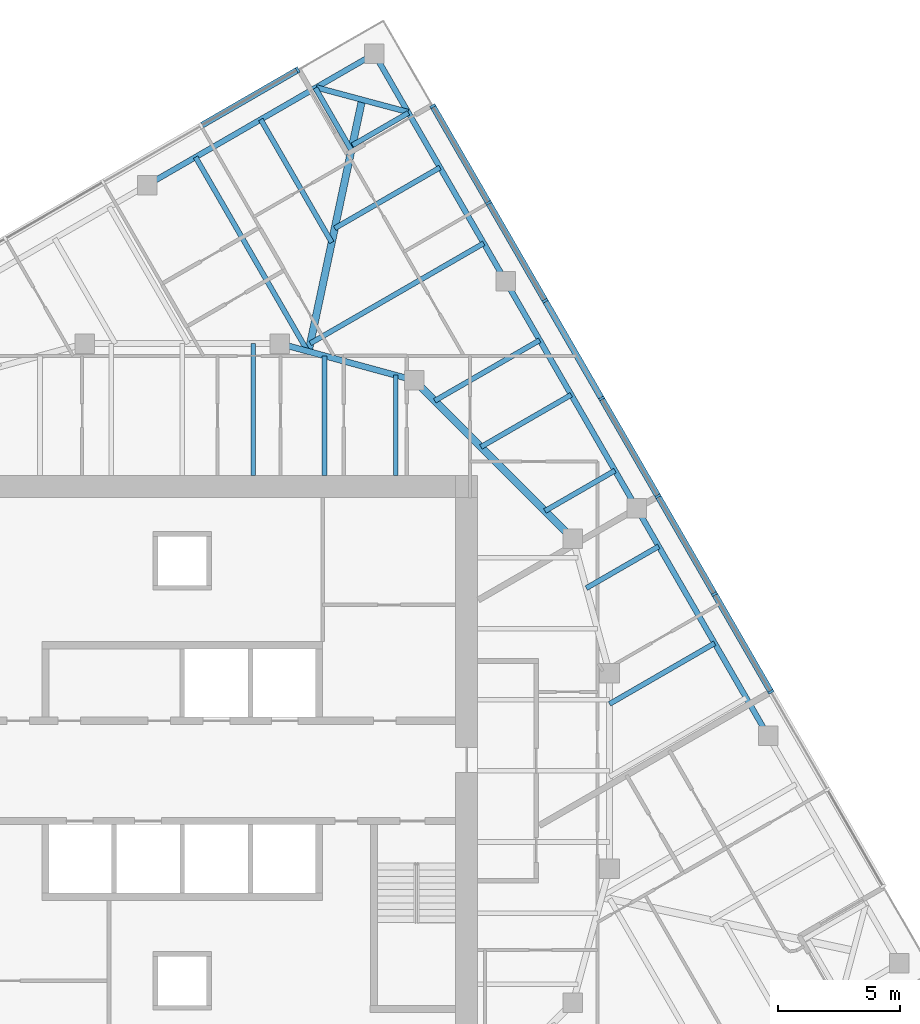
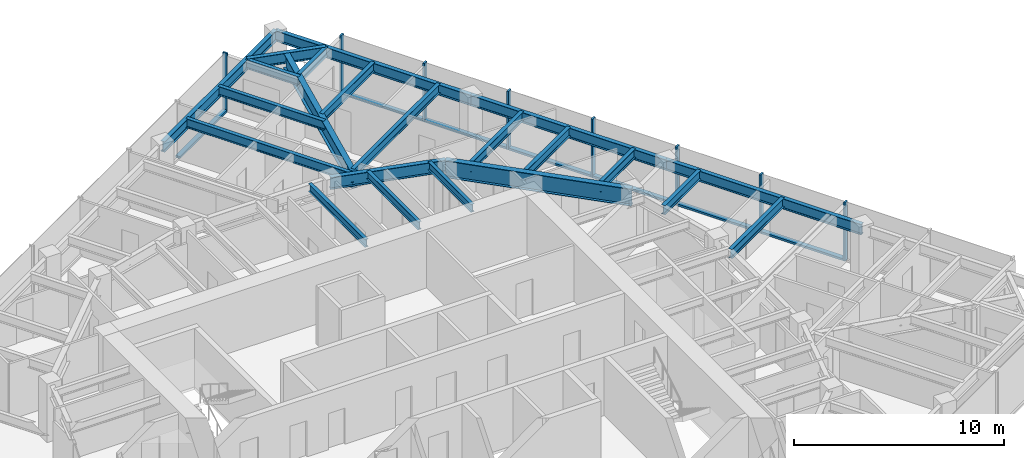
# One storey, part 5 of 12: 22 beams, 15 members, 2 elements without a shape of their own.
"""IFC4 building model written with IfcOpenShell, lengths in metres."""

from ifc_helpers import new_model, si_unit, direction, frame, origin, origin_2d, place, context, subcontext, project, spatial, rectangle, i_section, extrude, material, material_profile, profile_set, type_object, element, aggregate, save


model = new_model("IFC4")

# Units and contexts
model_context = context("Model", 3, precision=1e-05, world=origin(), true_north=direction((0.0, 1.0)))
body_context = subcontext(model_context, "Body", "Model", "MODEL_VIEW")
ifc_project = project(units=[si_unit("LENGTHUNIT", "METRE"), si_unit("AREAUNIT", "SQUARE_METRE"), si_unit("VOLUMEUNIT", "CUBIC_METRE"), si_unit("PLANEANGLEUNIT", "RADIAN"), si_unit("MASSUNIT", "GRAM", prefix="KILO")], contexts=[model_context])

# Site, building, storey
site_placement = place(None, origin())
site = spatial("IfcSite", under=ifc_project, at=site_placement, CompositionType="ELEMENT")
building_placement = place(site_placement, origin())
building = spatial("IfcBuilding", under=site, at=building_placement, Name="Torsade Residences", CompositionType="ELEMENT")
storey_placement = place(building_placement, frame((0.0, 0.0, 211.60009765625)))
storey = spatial("IfcBuildingStorey", under=building, at=storey_placement, Name="L58", CompositionType="ELEMENT", Elevation=211.60009765625)

# Beams
ifc_material_1 = material(Name="Steel grade 300", Category="steel")
ifc_material_profile_1 = material_profile(ifc_material_1, i_section(OverallWidth=0.300048828125, OverallDepth=0.89990234375, WebThickness=0.011962890625, FlangeThickness=0.02490234375, at=origin_2d()), Name="900WB175")
ifc_profile_set_1 = profile_set([ifc_material_profile_1], Name="Steel grade 300")
beam_type_1 = type_object("IfcBeamType", Name="CORNER GIRDER 900WB175", PredefinedType="BEAM", material=ifc_profile_set_1)
beam_1_placement = place(storey_placement, frame((47.3662109375, 57.4912109375, 2.7998046875), z_axis=(-0.20806427425, -0.978115155685, 0.0), x_axis=(0.978115155685, -0.20806427425, 0.0)))
element("IfcBeam", 1, at=beam_1_placement, inside=storey, type_object=beam_type_1, Name="Corner girder 09 L59", PredefinedType="BEAM", context=body_context, shape_type="SweptSolid", body=[
    extrude(i_section(OverallWidth=0.300048828125, OverallDepth=0.89990234375, WebThickness=0.011962890625, FlangeThickness=0.02490234375, at=origin_2d()), origin(), (0.0, 0.0, 1.0), 10.541748046875),
])
ifc_material_2 = material(Name="Steel grade 300", Category="steel")
ifc_material_profile_2 = material_profile(ifc_material_2, i_section(OverallWidth=0.22802734375, OverallDepth=0.60205078125, WebThickness=0.010498046875, FlangeThickness=0.014892578125, FilletRadius=0.013916015625, at=origin_2d()), Name="610UB101")
ifc_profile_set_2 = profile_set([ifc_material_profile_2], Name="Steel grade 300")
beam_type_2 = type_object("IfcBeamType", Name="CORNER TRIMMER 610UB101", PredefinedType="BEAM", material=ifc_profile_set_2)
beam_2_placement = place(storey_placement, frame((45.488037109375, 57.99462890625, 2.948974609375), z_axis=(0.965924794002, -0.258822897619, 0.0), x_axis=(0.258822897619, 0.965924794002, 0.0)))
element("IfcBeam", 2, at=beam_2_placement, inside=storey, type_object=beam_type_2, Name="Corner trimmer 09 L59", PredefinedType="BEAM", context=body_context, shape_type="SweptSolid", body=[
    extrude(i_section(OverallWidth=0.22802734375, OverallDepth=0.60205078125, WebThickness=0.010498046875, FlangeThickness=0.014892578125, FilletRadius=0.013916015625, at=origin_2d()), origin(), (0.0, 0.0, 1.0), 3.88916015625),
])
ifc_material_3 = material(Name="Steel grade 300", Category="steel")
ifc_material_profile_3 = material_profile(ifc_material_3, i_section(OverallWidth=0.22900390625, OverallDepth=0.612060546875, WebThickness=0.011962890625, FlangeThickness=0.01953125, FilletRadius=0.013916015625, at=origin_2d()), Name="610UB125")
ifc_profile_set_3 = profile_set([ifc_material_profile_3], Name="Steel grade 300")
beam_type_3 = type_object("IfcBeamType", Name="EDGE BEAM 610UB125", PredefinedType="SPANDREL", material=ifc_profile_set_3)
for number, where, z_axis, x_axis, name in (
    (3, (63.99462890625, 31.440185546875, 2.94384765625), (-0.499998333915, 0.866026365697, 0.0), (-0.866026365697, -0.499998333915, 0.0), "Edge beam 06 L59"),
    (4, (58.61962890625, 40.75, 2.94384765625), (-0.499998333915, 0.866026365697, 0.0), (-0.866026365697, -0.499998333915, 0.0), "Edge beam 07 L59"),
    (5, (53.24462890625, 50.059814453125, 2.94384765625), (-0.499998333915, 0.866026365697, 0.0), (-0.866026365697, -0.499998333915, 0.0), "Edge beam 08 L59"),
    (6, (47.86962890625, 59.36962890625, 2.94384765625), (-0.866026365697, -0.499998333915, 0.0), (0.499998333915, -0.866026365697, 0.0), "Edge beam 09 L59"),
):
    element("IfcBeam", number, at=place(storey_placement, frame(where, z_axis=z_axis, x_axis=x_axis)), inside=storey, type_object=beam_type_3, Name=name, PredefinedType="SPANDREL", context=body_context, shape_type="SweptSolid", body=[
        extrude(i_section(OverallWidth=0.22900390625, OverallDepth=0.612060546875, WebThickness=0.011962890625, FlangeThickness=0.01953125, FilletRadius=0.013916015625, at=origin_2d()), origin(), (0.0, 0.0, 1.0), 10.75),
    ])

# Curtain wall, members
ifc_material_4 = material(Name="Aluminium and glass", Category="aluminium")
curtain_wall_type = type_object("IfcCurtainWallType", Name="FRITTED GLASS CURTAIN WALL HIGH ZONE", PredefinedType="NOTDEFINED", material=ifc_material_4)
curtain_wall_1_placement = place(storey_placement, origin())
curtain_wall_1 = element("IfcCurtainWall", 7, at=curtain_wall_1_placement, inside=storey, type_object=curtain_wall_type, Name="Curtain wall L58 face 4", PredefinedType="NOTDEFINED")
ifc_material_5 = material(Name="Aluminium mullion", Category="aluminium")
ifc_material_profile_4 = material_profile(ifc_material_5, rectangle(XDim=0.25, YDim=0.10009765625, at=origin_2d()), Name="HIGH ZONE CURTAIN WALL MULLION 250x100")
ifc_profile_set_4 = profile_set([ifc_material_profile_4], Name="Aluminium mullion")
member_type_1 = type_object("IfcMemberType", Name="HIGH ZONE CURTAIN WALL MULLION 250x100", PredefinedType="MULLION", material=ifc_profile_set_4)
member_1_placement = place(storey_placement, frame((64.110595703125, 33.2392578125, 0.0), z_axis=(0.0, 0.0, 1.0), x_axis=(-0.866025404186, -0.499999999305, 0.0)))
member_1 = element("IfcMember", 8, at=member_1_placement, type_object=member_type_1, Name="Mullion 3", PredefinedType="MULLION", context=body_context, shape_type="SweptSolid", body=[
    extrude(rectangle(XDim=0.25, YDim=0.10009765625, at=origin_2d()), origin(), (0.0, 0.0, 1.0), 3.39990234375),
])
member_2_placement = place(storey_placement, frame((61.798095703125, 37.24462890625, 0.0), z_axis=(0.0, 0.0, 1.0), x_axis=(-0.866025404186, -0.499999999305, 0.0)))
member_2 = element("IfcMember", 9, at=member_2_placement, type_object=member_type_1, Name="Mullion 4", PredefinedType="MULLION", context=body_context, shape_type="SweptSolid", body=[
    extrude(rectangle(XDim=0.25, YDim=0.10009765625, at=origin_2d()), origin(), (0.0, 0.0, 1.0), 3.39990234375),
])
member_3_placement = place(storey_placement, frame((59.485595703125, 41.25, 0.0), z_axis=(0.0, 0.0, 1.0), x_axis=(-0.866025404186, -0.499999999305, 0.0)))
member_3 = element("IfcMember", 10, at=member_3_placement, type_object=member_type_1, Name="Mullion 5", PredefinedType="MULLION", context=body_context, shape_type="SweptSolid", body=[
    extrude(rectangle(XDim=0.25, YDim=0.10009765625, at=origin_2d()), origin(), (0.0, 0.0, 1.0), 3.39990234375),
])
member_4_placement = place(storey_placement, frame((57.173095703125, 45.25537109375, 0.0), z_axis=(0.0, 0.0, 1.0), x_axis=(-0.866025404186, -0.499999999305, 0.0)))
member_4 = element("IfcMember", 11, at=member_4_placement, type_object=member_type_1, Name="Mullion 6", PredefinedType="MULLION", context=body_context, shape_type="SweptSolid", body=[
    extrude(rectangle(XDim=0.25, YDim=0.10009765625, at=origin_2d()), origin(), (0.0, 0.0, 1.0), 3.39990234375),
])
member_5_placement = place(storey_placement, frame((54.860595703125, 49.2607421875, 0.0), z_axis=(0.0, 0.0, 1.0), x_axis=(-0.866025404186, -0.499999999305, 0.0)))
member_5 = element("IfcMember", 12, at=member_5_placement, type_object=member_type_1, Name="Mullion 7", PredefinedType="MULLION", context=body_context, shape_type="SweptSolid", body=[
    extrude(rectangle(XDim=0.25, YDim=0.10009765625, at=origin_2d()), origin(), (0.0, 0.0, 1.0), 3.39990234375),
])
member_6_placement = place(storey_placement, frame((52.548095703125, 53.26611328125, 0.0), z_axis=(0.0, 0.0, 1.0), x_axis=(-0.866025404186, -0.499999999305, 0.0)))
member_6 = element("IfcMember", 13, at=member_6_placement, type_object=member_type_1, Name="Mullion 8", PredefinedType="MULLION", context=body_context, shape_type="SweptSolid", body=[
    extrude(rectangle(XDim=0.25, YDim=0.10009765625, at=origin_2d()), origin(), (0.0, 0.0, 1.0), 3.39990234375),
])
member_7_placement = place(storey_placement, frame((50.260498046875, 57.228271484375, 0.0), z_axis=(0.0, 0.0, 1.0), x_axis=(-0.866025404186, -0.499999999305, 0.0)))
member_7 = element("IfcMember", 14, at=member_7_placement, type_object=member_type_1, Name="Mullion 9", PredefinedType="MULLION", context=body_context, shape_type="SweptSolid", body=[
    extrude(rectangle(XDim=0.25, YDim=0.10009765625, at=origin_2d()), origin(), (0.0, 0.0, 1.0), 3.39990234375),
])

# Curtain wall, member
curtain_wall_2_placement = place(storey_placement, origin())
curtain_wall_2 = element("IfcCurtainWall", 15, at=curtain_wall_2_placement, inside=storey, type_object=curtain_wall_type, Name="Curtain wall L58 face 7", PredefinedType="NOTDEFINED")
member_8_placement = place(storey_placement, frame((44.728271484375, 58.710693359375, 0.0), z_axis=(0.0, 0.0, 1.0), x_axis=(0.499999999305, -0.866025404186, 0.0)))
member_8 = element("IfcMember", 16, at=member_8_placement, type_object=member_type_1, Name="Mullion 1", PredefinedType="MULLION", context=body_context, shape_type="SweptSolid", body=[
    extrude(rectangle(XDim=0.25, YDim=0.10009765625, at=origin_2d()), origin(), (0.0, 0.0, 1.0), 3.39990234375),
])

# Member
ifc_material_6 = material(Name="Aluminium transom", Category="aluminium")
ifc_material_profile_5 = material_profile(ifc_material_6, rectangle(XDim=0.25, YDim=0.1201171875, at=origin_2d()), Name="HIGH ZONE CURTAIN WALL TRANSOM 250x120")
ifc_profile_set_5 = profile_set([ifc_material_profile_5], Name="Aluminium transom")
member_type_2 = type_object("IfcMemberType", Name="HIGH ZONE CURTAIN WALL TRANSOM 250x120", PredefinedType="USERDEFINED", material=ifc_profile_set_5)
member_9_placement = place(storey_placement, frame((64.085693359375, 33.282470703125, 0.059814453125), z_axis=(-0.500015112013, 0.866016678684, 0.0), x_axis=(-0.866016678684, -0.500015112013, 0.0)))
member_9 = element("IfcMember", 17, at=member_9_placement, type_object=member_type_2, Name="Transom 3.1", ObjectType="TRANSOM", PredefinedType="USERDEFINED", context=body_context, shape_type="SweptSolid", body=[
    extrude(rectangle(XDim=0.25, YDim=0.1201171875, at=origin_2d()), origin(), (0.0, 0.0, 1.0), 4.525146484375),
])

member_10_placement = place(storey_placement, frame((61.773193359375, 37.287841796875, 0.059814453125), z_axis=(-0.500015112013, 0.866016678684, 0.0), x_axis=(-0.866016678684, -0.500015112013, 0.0)))
member_10 = element("IfcMember", 18, at=member_10_placement, type_object=member_type_2, Name="Transom 4.1", ObjectType="TRANSOM", PredefinedType="USERDEFINED", context=body_context, shape_type="SweptSolid", body=[
    extrude(rectangle(XDim=0.25, YDim=0.1201171875, at=origin_2d()), origin(), (0.0, 0.0, 1.0), 4.525146484375),
])

member_11_placement = place(storey_placement, frame((59.460693359375, 41.293212890625, 0.059814453125), z_axis=(-0.500015112013, 0.866016678684, 0.0), x_axis=(-0.866016678684, -0.500015112013, 0.0)))
member_11 = element("IfcMember", 19, at=member_11_placement, type_object=member_type_2, Name="Transom 5.1", ObjectType="TRANSOM", PredefinedType="USERDEFINED", context=body_context, shape_type="SweptSolid", body=[
    extrude(rectangle(XDim=0.25, YDim=0.1201171875, at=origin_2d()), origin(), (0.0, 0.0, 1.0), 4.525146484375),
])

member_12_placement = place(storey_placement, frame((57.148193359375, 45.298583984375, 0.059814453125), z_axis=(-0.500015112013, 0.866016678684, 0.0), x_axis=(-0.866016678684, -0.500015112013, 0.0)))
member_12 = element("IfcMember", 20, at=member_12_placement, type_object=member_type_2, Name="Transom 6.1", ObjectType="TRANSOM", PredefinedType="USERDEFINED", context=body_context, shape_type="SweptSolid", body=[
    extrude(rectangle(XDim=0.25, YDim=0.1201171875, at=origin_2d()), origin(), (0.0, 0.0, 1.0), 4.525146484375),
])

member_13_placement = place(storey_placement, frame((54.835693359375, 49.303955078125, 0.059814453125), z_axis=(-0.500015112013, 0.866016678684, 0.0), x_axis=(-0.866016678684, -0.500015112013, 0.0)))
member_13 = element("IfcMember", 21, at=member_13_placement, type_object=member_type_2, Name="Transom 7.1", ObjectType="TRANSOM", PredefinedType="USERDEFINED", context=body_context, shape_type="SweptSolid", body=[
    extrude(rectangle(XDim=0.25, YDim=0.1201171875, at=origin_2d()), origin(), (0.0, 0.0, 1.0), 4.525146484375),
])

member_14_placement = place(storey_placement, frame((52.523193359375, 53.309326171875, 0.059814453125), z_axis=(-0.50000580312, 0.866022053326, 0.0), x_axis=(-0.866022053326, -0.50000580312, 0.0)))
member_14 = element("IfcMember", 22, at=member_14_placement, type_object=member_type_2, Name="Transom 8.1", ObjectType="TRANSOM", PredefinedType="USERDEFINED", context=body_context, shape_type="SweptSolid", body=[
    extrude(rectangle(XDim=0.25, YDim=0.1201171875, at=origin_2d()), origin(), (0.0, 0.0, 1.0), 4.47509765625),
])

aggregate(curtain_wall_1, [member_1, member_2, member_3, member_4, member_5, member_6, member_7, member_9, member_10, member_11, member_12, member_13, member_14])

member_15_placement = place(storey_placement, frame((44.684814453125, 58.685546875, 0.059814453125), z_axis=(-0.866022053326, -0.50000580312, 0.0), x_axis=(0.50000580312, -0.866022053326, 0.0)))
member_15 = element("IfcMember", 23, at=member_15_placement, type_object=member_type_2, Name="Transom 1.1", ObjectType="TRANSOM", PredefinedType="USERDEFINED", context=body_context, shape_type="SweptSolid", body=[
    extrude(rectangle(XDim=0.25, YDim=0.1201171875, at=origin_2d()), origin(), (0.0, 0.0, 1.0), 4.47509765625),
])

aggregate(curtain_wall_2, [member_8, member_15])

# Beams
ifc_material_7 = material(Name="Steel grade 300", Category="steel")
ifc_material_profile_6 = material_profile(ifc_material_7, i_section(OverallWidth=0.18994140625, OverallDepth=0.4541015625, WebThickness=0.008544921875, FlangeThickness=0.0126953125, FilletRadius=0.011474609375, at=origin_2d()), Name="460UB67.1")
ifc_profile_set_6 = profile_set([ifc_material_profile_6], Name="Steel grade 300")
beam_type_4 = type_object("IfcBeamType", Name="INNER FLOOR BEAM 460UB67.1", PredefinedType="JOIST", material=ifc_profile_set_6)
beam_3_placement = place(storey_placement, frame((42.91259765625, 42.10009765625, 3.02294921875), z_axis=(0.0, 1.0, 0.0), x_axis=(-1.0, 0.0, 0.0)))
element("IfcBeam", 24, at=beam_3_placement, inside=storey, type_object=beam_type_4, Name="Inner floor beam IN05 L59", PredefinedType="JOIST", context=body_context, shape_type="SweptSolid", body=[
    extrude(i_section(OverallWidth=0.18994140625, OverallDepth=0.4541015625, WebThickness=0.008544921875, FlangeThickness=0.0126953125, FilletRadius=0.011474609375, at=origin_2d()), origin(), (0.0, 0.0, 1.0), 5.39990234375),
])
beam_4_placement = place(storey_placement, frame((45.824951171875, 42.10009765625, 3.02294921875), z_axis=(0.0, 1.0, 0.0), x_axis=(-1.0, 0.0, 0.0)))
element("IfcBeam", 25, at=beam_4_placement, inside=storey, type_object=beam_type_4, Name="Inner floor beam IN06 L59", PredefinedType="JOIST", context=body_context, shape_type="SweptSolid", body=[
    extrude(i_section(OverallWidth=0.18994140625, OverallDepth=0.4541015625, WebThickness=0.008544921875, FlangeThickness=0.0126953125, FilletRadius=0.011474609375, at=origin_2d()), origin(), (0.0, 0.0, 1.0), 4.902099609375),
])
beam_5_placement = place(storey_placement, frame((48.737548828125, 42.10009765625, 3.02294921875), z_axis=(0.0, 1.0, 0.0), x_axis=(-1.0, 0.0, 0.0)))
element("IfcBeam", 26, at=beam_5_placement, inside=storey, type_object=beam_type_4, Name="Inner floor beam IN07 L59", PredefinedType="JOIST", context=body_context, shape_type="SweptSolid", body=[
    extrude(i_section(OverallWidth=0.18994140625, OverallDepth=0.4541015625, WebThickness=0.008544921875, FlangeThickness=0.0126953125, FilletRadius=0.011474609375, at=origin_2d()), origin(), (0.0, 0.0, 1.0), 4.10791015625),
])
ifc_material_8 = material(Name="Steel grade 300", Category="steel")
ifc_material_profile_7 = material_profile(ifc_material_8, i_section(OverallWidth=0.300048828125, OverallDepth=1.0, WebThickness=0.01611328125, FlangeThickness=0.028076171875, at=origin_2d()), Name="1000WB215")
ifc_profile_set_7 = profile_set([ifc_material_profile_7], Name="Steel grade 300")
beam_type_5 = type_object("IfcBeamType", Name="RING CORNER GIRDER 1000WB215", PredefinedType="BEAM", material=ifc_profile_set_7)
beam_6_placement = place(storey_placement, frame((56.0, 39.5, 2.75), z_axis=(-0.707106781187, 0.707106781187, 0.0), x_axis=(-0.707106781187, -0.707106781187, 0.0)))
element("IfcBeam", 27, at=beam_6_placement, inside=storey, type_object=beam_type_5, Name="Ring girder IR03 L59", PredefinedType="BEAM", context=body_context, shape_type="SweptSolid", body=[
    extrude(i_section(OverallWidth=0.300048828125, OverallDepth=1.0, WebThickness=0.01611328125, FlangeThickness=0.028076171875, at=origin_2d()), origin(), (0.0, 0.0, 1.0), 9.1923828125),
])
ifc_material_9 = material(Name="Steel grade 300", Category="steel")
ifc_material_profile_8 = material_profile(ifc_material_9, i_section(OverallWidth=0.25, OverallDepth=0.699951171875, WebThickness=0.010009765625, FlangeThickness=0.02001953125, at=origin_2d()), Name="700WB130")
ifc_profile_set_8 = profile_set([ifc_material_profile_8], Name="Steel grade 300")
beam_type_6 = type_object("IfcBeamType", Name="RING GIRDER 700WB130", PredefinedType="BEAM", material=ifc_profile_set_8)
beam_7_placement = place(storey_placement, frame((49.5, 46.0, 2.89990234375), z_axis=(-0.964763821238, 0.263117405792, 0.0), x_axis=(-0.263117405792, -0.964763821238, 0.0)))
element("IfcBeam", 28, at=beam_7_placement, inside=storey, type_object=beam_type_6, Name="Ring girder IR04 L59", PredefinedType="BEAM", context=body_context, shape_type="SweptSolid", body=[
    extrude(i_section(OverallWidth=0.25, OverallDepth=0.699951171875, WebThickness=0.010009765625, FlangeThickness=0.02001953125, at=origin_2d()), origin(), (0.0, 0.0, 1.0), 5.700927734375),
])
ifc_material_10 = material(Name="Steel grade 300", Category="steel")
ifc_material_profile_9 = material_profile(ifc_material_10, i_section(OverallWidth=0.208984375, OverallDepth=0.528076171875, WebThickness=0.009521484375, FlangeThickness=0.01318359375, FilletRadius=0.013916015625, at=origin_2d()), Name="530UB82.0")
ifc_profile_set_9 = profile_set([ifc_material_profile_9], Name="Steel grade 300")
beam_type_7 = type_object("IfcBeamType", Name="SECONDARY BEAM 530UB82.0", PredefinedType="JOIST", material=ifc_profile_set_9)
beam_8_placement = place(storey_placement, frame((61.80712890625, 35.22900390625, 2.98583984375), z_axis=(-0.866038443216, -0.499977414361, 0.0), x_axis=(0.499977414361, -0.866038443216, 0.0)))
element("IfcBeam", 29, at=beam_8_placement, inside=storey, type_object=beam_type_7, Name="Floor beam FE05 L59", PredefinedType="JOIST", context=body_context, shape_type="SweptSolid", body=[
    extrude(i_section(OverallWidth=0.208984375, OverallDepth=0.528076171875, WebThickness=0.009521484375, FlangeThickness=0.01318359375, FilletRadius=0.013916015625, at=origin_2d()), origin(), (0.0, 0.0, 1.0), 4.973388671875),
])
beam_9_placement = place(storey_placement, frame((59.515380859375, 39.198486328125, 2.98583984375), z_axis=(-0.866001587311, -0.500041249073, 0.0), x_axis=(0.500041249073, -0.866001587311, 0.0)))
element("IfcBeam", 30, at=beam_9_placement, inside=storey, type_object=beam_type_7, Name="Floor beam FE06 L59", PredefinedType="JOIST", context=body_context, shape_type="SweptSolid", body=[
    extrude(i_section(OverallWidth=0.208984375, OverallDepth=0.528076171875, WebThickness=0.009521484375, FlangeThickness=0.01318359375, FilletRadius=0.013916015625, at=origin_2d()), origin(), (0.0, 0.0, 1.0), 3.425048828125),
])
beam_10_placement = place(storey_placement, frame((57.7236328125, 42.301513671875, 2.98583984375), z_axis=(-0.866039541186, -0.499975512502, 0.0), x_axis=(0.499975512502, -0.866039541186, 0.0)))
element("IfcBeam", 31, at=beam_10_placement, inside=storey, type_object=beam_type_7, Name="Floor beam FE07 L59", PredefinedType="JOIST", context=body_context, shape_type="SweptSolid", body=[
    extrude(i_section(OverallWidth=0.208984375, OverallDepth=0.528076171875, WebThickness=0.009521484375, FlangeThickness=0.01318359375, FilletRadius=0.013916015625, at=origin_2d()), origin(), (0.0, 0.0, 1.0), 3.312744140625),
])
beam_11_placement = place(storey_placement, frame((55.93212890625, 45.40478515625, 2.98583984375), z_axis=(-0.866022880939, -0.500004369671, 0.0), x_axis=(0.500004369671, -0.866022880939, 0.0)))
element("IfcBeam", 32, at=beam_11_placement, inside=storey, type_object=beam_type_7, Name="Floor beam FE08 L59", PredefinedType="JOIST", context=body_context, shape_type="SweptSolid", body=[
    extrude(i_section(OverallWidth=0.208984375, OverallDepth=0.528076171875, WebThickness=0.009521484375, FlangeThickness=0.01318359375, FilletRadius=0.013916015625, at=origin_2d()), origin(), (0.0, 0.0, 1.0), 4.27294921875),
])
beam_12_placement = place(storey_placement, frame((54.640380859375, 47.64208984375, 2.98583984375), z_axis=(-0.866043933037, -0.49996790502, 0.0), x_axis=(0.49996790502, -0.866043933037, 0.0)))
element("IfcBeam", 33, at=beam_12_placement, inside=storey, type_object=beam_type_7, Name="Floor beam FE09 L59", PredefinedType="JOIST", context=body_context, shape_type="SweptSolid", body=[
    extrude(i_section(OverallWidth=0.208984375, OverallDepth=0.528076171875, WebThickness=0.009521484375, FlangeThickness=0.01318359375, FilletRadius=0.013916015625, at=origin_2d()), origin(), (0.0, 0.0, 1.0), 4.965087890625),
])
beam_13_placement = place(storey_placement, frame((52.3486328125, 51.611328125, 2.98583984375), z_axis=(-0.866030002502, -0.499992034702, 0.0), x_axis=(0.499992034702, -0.866030002502, 0.0)))
element("IfcBeam", 34, at=beam_13_placement, inside=storey, type_object=beam_type_7, Name="Floor beam FE10 L59", PredefinedType="JOIST", context=body_context, shape_type="SweptSolid", body=[
    extrude(i_section(OverallWidth=0.208984375, OverallDepth=0.528076171875, WebThickness=0.009521484375, FlangeThickness=0.01318359375, FilletRadius=0.013916015625, at=origin_2d()), origin(), (0.0, 0.0, 1.0), 8.205322265625),
])
beam_14_placement = place(storey_placement, frame((50.55712890625, 54.714599609375, 2.98583984375), z_axis=(-0.866043477274, -0.499968694491, 0.0), x_axis=(0.499968694491, -0.866043477274, 0.0)))
element("IfcBeam", 35, at=beam_14_placement, inside=storey, type_object=beam_type_7, Name="Floor beam FE11 L59", PredefinedType="JOIST", context=body_context, shape_type="SweptSolid", body=[
    extrude(i_section(OverallWidth=0.208984375, OverallDepth=0.528076171875, WebThickness=0.009521484375, FlangeThickness=0.01318359375, FilletRadius=0.013916015625, at=origin_2d()), origin(), (0.0, 0.0, 1.0), 4.977783203125),
])
beam_15_placement = place(storey_placement, frame((49.265380859375, 56.951904296875, 2.98583984375), z_axis=(-0.866041431316, -0.499972238474, 0.0), x_axis=(0.499972238474, -0.866041431316, 0.0)))
element("IfcBeam", 36, at=beam_15_placement, inside=storey, type_object=beam_type_7, Name="Floor beam FE12 L59", PredefinedType="JOIST", context=body_context, shape_type="SweptSolid", body=[
    extrude(i_section(OverallWidth=0.208984375, OverallDepth=0.528076171875, WebThickness=0.009521484375, FlangeThickness=0.01318359375, FilletRadius=0.013916015625, at=origin_2d()), origin(), (0.0, 0.0, 1.0), 2.651123046875),
])
beam_16_placement = place(storey_placement, frame((45.451904296875, 57.9736328125, 2.98583984375), z_axis=(0.500014013, -0.866017313224, 0.0), x_axis=(0.866017313224, 0.500014013, 0.0)))
element("IfcBeam", 37, at=beam_16_placement, inside=storey, type_object=beam_type_7, Name="Floor beam FN01 L59", PredefinedType="JOIST", context=body_context, shape_type="SweptSolid", body=[
    extrude(i_section(OverallWidth=0.208984375, OverallDepth=0.528076171875, WebThickness=0.009521484375, FlangeThickness=0.01318359375, FilletRadius=0.013916015625, at=origin_2d()), origin(), (0.0, 0.0, 1.0), 2.94775390625),
])
beam_17_placement = place(storey_placement, frame((43.214599609375, 56.68212890625, 2.98583984375), z_axis=(0.499990133118, -0.866031100357, 0.0), x_axis=(0.866031100357, 0.499990133118, 0.0)))
element("IfcBeam", 38, at=beam_17_placement, inside=storey, type_object=beam_type_7, Name="Floor beam FN02 L59", PredefinedType="JOIST", context=body_context, shape_type="SweptSolid", body=[
    extrude(i_section(OverallWidth=0.208984375, OverallDepth=0.528076171875, WebThickness=0.009521484375, FlangeThickness=0.01318359375, FilletRadius=0.013916015625, at=origin_2d()), origin(), (0.0, 0.0, 1.0), 5.81591796875),
])
beam_18_placement = place(storey_placement, frame((40.54443359375, 55.140380859375, 2.98583984375), z_axis=(0.500006393711, -0.866021712342, 0.0), x_axis=(0.866021712342, 0.500006393711, 0.0)))
element("IfcBeam", 39, at=beam_18_placement, inside=storey, type_object=beam_type_7, Name="Floor beam FN03 L59", PredefinedType="JOIST", context=body_context, shape_type="SweptSolid", body=[
    extrude(i_section(OverallWidth=0.208984375, OverallDepth=0.528076171875, WebThickness=0.009521484375, FlangeThickness=0.01318359375, FilletRadius=0.013916015625, at=origin_2d()), origin(), (0.0, 0.0, 1.0), 9.1796875),
])

save(model, "model.ifc")
